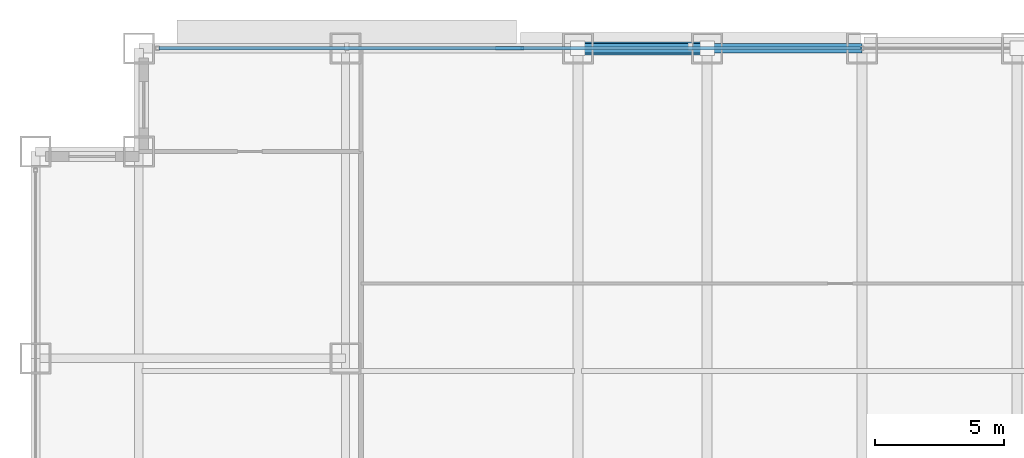
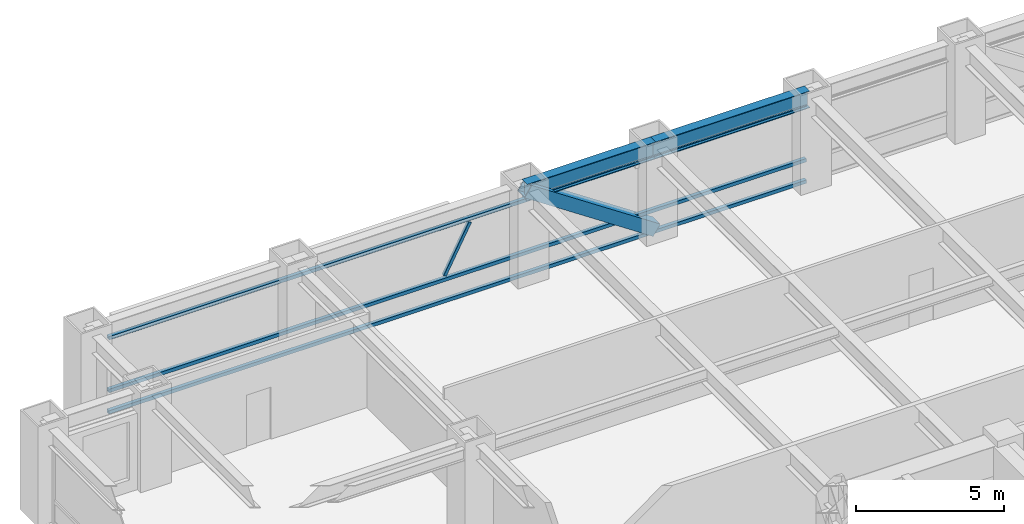
# One storey, part 18 of 32: 5 members, 2 beams, 1 element without a shape of its own.
"""IFC4 building model written with IfcOpenShell, lengths in metres."""

from ifc_helpers import new_model, si_unit, direction, frame, origin, origin_2d, place, context, subcontext, project, spatial, hollow_rectangle, i_section, extrude, source, transform, mapped, material, material_profile, profile_set, type_object, element, aggregate, save


model = new_model("IFC4")

# Units and contexts
model_context = context("Model", 3, precision=1e-05, world=origin(), true_north=direction((0.0, 1.0)))
body_context = subcontext(model_context, "Body", "Model", "MODEL_VIEW")
ifc_project = project(units=[si_unit("LENGTHUNIT", "METRE"), si_unit("AREAUNIT", "SQUARE_METRE"), si_unit("VOLUMEUNIT", "CUBIC_METRE"), si_unit("PLANEANGLEUNIT", "RADIAN"), si_unit("MASSUNIT", "GRAM", prefix="KILO")], contexts=[model_context])

# Site, building, storey
site_placement = place(None, origin())
site = spatial("IfcSite", under=ifc_project, at=site_placement, CompositionType="ELEMENT")
building_placement = place(site_placement, origin())
building = spatial("IfcBuilding", under=site, at=building_placement, Name="Khorayat Bourse Tower", CompositionType="ELEMENT")
storey_placement = place(building_placement, frame((0.0, 0.0, 95.5)))
storey = spatial("IfcBuildingStorey", under=building, at=storey_placement, Name="L21", CompositionType="ELEMENT", Elevation=95.5)

# Beams
ifc_material_1 = material(Name="Steel ASTM A992 Grade 50", Category="steel")
ifc_material_profile_1 = material_profile(ifc_material_1, i_section(OverallWidth=0.35498046875, OverallDepth=0.695068359375, WebThickness=0.015380859375, FlangeThickness=0.02490234375, FilletRadius=0.01806640625, at=origin_2d()), Name="W690X217")
ifc_profile_set_1 = profile_set([ifc_material_profile_1], Name="Steel ASTM A992 Grade 50")
beam_type = type_object("IfcBeamType", Name="BM-SPAN-690", PredefinedType="SPANDREL", material=ifc_profile_set_1)
shared_shape_1 = source(origin(), body_context, "Body", "SweptSolid", [
    extrude(i_section(OverallWidth=0.35498046875, OverallDepth=0.695068359375, WebThickness=0.015380859375, FlangeThickness=0.02490234375, FilletRadius=0.01806640625, at=origin_2d()), origin(), (0.0, 0.0, 1.0), 5.0),
])
beam_1_placement = place(storey_placement, frame((-11.0, 32.0, 3.492431640625), z_axis=(1.0, 0.0, 0.0), x_axis=(0.0, 1.0, 0.0)))
element("IfcBeam", 1, at=beam_1_placement, inside=storey, type_object=beam_type, Name="L21 BM-SPAN-690 BM-L21-SPN-049", PredefinedType="SPANDREL", context=body_context, shape_type="MappedRepresentation", body=[
    mapped(shared_shape_1, transform((0.0, 0.0, 0.0), scale=1.0)),
])
shared_shape_2 = source(origin(), body_context, "Body", "SweptSolid", [
    extrude(i_section(OverallWidth=0.35498046875, OverallDepth=0.695068359375, WebThickness=0.015380859375, FlangeThickness=0.02490234375, FilletRadius=0.01806640625, at=origin_2d()), origin(), (0.0, 0.0, 1.0), 6.0),
])
beam_2_placement = place(storey_placement, frame((-6.0, 32.0, 3.492431640625), z_axis=(1.0, 0.0, 0.0), x_axis=(0.0, 1.0, 0.0)))
element("IfcBeam", 2, at=beam_2_placement, inside=storey, type_object=beam_type, Name="L21 BM-SPAN-690 BM-L21-SPN-048", PredefinedType="SPANDREL", context=body_context, shape_type="MappedRepresentation", body=[
    mapped(shared_shape_2, transform((0.0, 0.0, 0.0), scale=1.0)),
])

# Member
ifc_material_2 = material(Name="Steel EN 10025-4 S460M", Category="steel")
ifc_material_profile_2 = material_profile(ifc_material_2, hollow_rectangle(XDim=0.5, YDim=0.5, WallThickness=0.028076171875, at=origin_2d()), Name="HSS 500x500x28")
ifc_profile_set_2 = profile_set([ifc_material_profile_2], Name="Steel EN 10025-4 S460M")
member_type_1 = type_object("IfcMemberType", Name="MBR-TUBE-500", PredefinedType="BRACE", material=ifc_profile_set_2)
shared_shape_3 = source(origin(), body_context, "Body", "SweptSolid", [
    extrude(hollow_rectangle(XDim=0.5, YDim=0.5, WallThickness=0.028076171875, at=origin_2d()), origin(), (0.0, 0.0, 1.0), 6.012939453125),
])
member_1_placement = place(storey_placement, frame((-11.0, 32.0, 3.590087890625), z_axis=(0.831531473026, 0.0, -0.555477640745), x_axis=(0.0, 1.0, 0.0)))
element("IfcMember", 3, at=member_1_placement, inside=storey, type_object=member_type_1, Name="L21 Perimeter Tube Brace 03", PredefinedType="BRACE", context=body_context, shape_type="MappedRepresentation", body=[
    mapped(shared_shape_3, transform((0.0, 0.0, 0.0), scale=1.0)),
])

# Curtain wall, members
ifc_material_3 = material(Name="Aluminium EN AW-6063 T6", Category="aluminium")
curtain_wall_type = type_object("IfcCurtainWallType", Name="CW-SYS-02", PredefinedType="NOTDEFINED", material=ifc_material_3)
curtain_wall_placement = place(storey_placement, origin())
curtain_wall = element("IfcCurtainWall", 4, at=curtain_wall_placement, inside=storey, type_object=curtain_wall_type, Name="L21 Curtain Wall CW-L21-N1", PredefinedType="NOTDEFINED")
ifc_material_profile_3 = material_profile(ifc_material_3, hollow_rectangle(XDim=0.139892578125, YDim=0.139892578125, WallThickness=0.006103515625, at=origin_2d()), Name="ALU 140x140x6")
ifc_profile_set_3 = profile_set([ifc_material_profile_3], Name="Aluminium EN AW-6063 T6")
member_type_2 = type_object("IfcMemberType", Name="CWT-HORZ-140", PredefinedType="USERDEFINED", material=ifc_profile_set_3)
shared_shape_4 = source(origin(), body_context, "Body", "SweptSolid", [
    extrude(hollow_rectangle(XDim=0.139892578125, YDim=0.139892578125, WallThickness=0.006103515625, at=origin_2d()), origin(), (0.0, 0.0, 1.0), 27.139892578125),
])
member_2_placement = place(storey_placement, frame((-27.2099609375, 32.0, 0.070068359375), z_axis=(1.0, 0.0, 0.0), x_axis=(0.0, 1.0, 0.0)))
member_2 = element("IfcMember", 5, at=member_2_placement, type_object=member_type_2, Name="CW-L21-N1 Horizontal Transom 1-1", ObjectType="TRANSOM", PredefinedType="USERDEFINED", context=body_context, shape_type="MappedRepresentation", body=[
    mapped(shared_shape_4, transform((0.0, 0.0, 0.0), scale=1.0)),
])
member_3_placement = place(storey_placement, frame((-27.2099609375, 32.0, 0.949951171875), z_axis=(1.0, 0.0, 0.0), x_axis=(0.0, 1.0, 0.0)))
member_3 = element("IfcMember", 6, at=member_3_placement, type_object=member_type_2, Name="CW-L21-N1 Horizontal Transom 1-2", ObjectType="TRANSOM", PredefinedType="USERDEFINED", context=body_context, shape_type="MappedRepresentation", body=[
    mapped(shared_shape_4, transform((0.0, 0.0, 0.0), scale=1.0)),
])
member_4_placement = place(storey_placement, frame((-27.2099609375, 32.0, 3.1201171875), z_axis=(1.0, 0.0, 0.0), x_axis=(0.0, 1.0, 0.0)))
member_4 = element("IfcMember", 7, at=member_4_placement, type_object=member_type_2, Name="CW-L21-N1 Horizontal Transom 1-3", ObjectType="TRANSOM", PredefinedType="USERDEFINED", context=body_context, shape_type="MappedRepresentation", body=[
    mapped(shared_shape_4, transform((0.0, 0.0, 0.0), scale=1.0)),
])
ifc_material_profile_4 = material_profile(ifc_material_3, hollow_rectangle(XDim=0.1201171875, YDim=0.1201171875, WallThickness=0.0048828125, at=origin_2d()), Name="ALU 120x120x5")
ifc_profile_set_4 = profile_set([ifc_material_profile_4], Name="Aluminium EN AW-6063 T6")
member_type_3 = type_object("IfcMemberType", Name="CWM-DIAG-120", PredefinedType="MULLION", material=ifc_profile_set_4)
shared_shape_5 = source(origin(), body_context, "Body", "SweptSolid", [
    extrude(hollow_rectangle(XDim=0.1201171875, YDim=0.1201171875, WallThickness=0.0048828125, at=origin_2d()), origin(), (0.0, 0.0, 1.0), 2.113037109375),
])
member_5_placement = place(storey_placement, frame((-14.132080078125, 32.0, 1.10009765625), z_axis=(0.465741670874, 0.0, 0.884920728659), x_axis=(0.0, 1.0, 0.0)))
member_5 = element("IfcMember", 8, at=member_5_placement, type_object=member_type_3, Name="CW-L21-N1 Faceted Diagonal Mullion 1", PredefinedType="MULLION", context=body_context, shape_type="MappedRepresentation", body=[
    mapped(shared_shape_5, transform((0.0, 0.0, 0.0), scale=1.0)),
])
aggregate(curtain_wall, [member_2, member_3, member_4, member_5])

save(model, "model.ifc")
